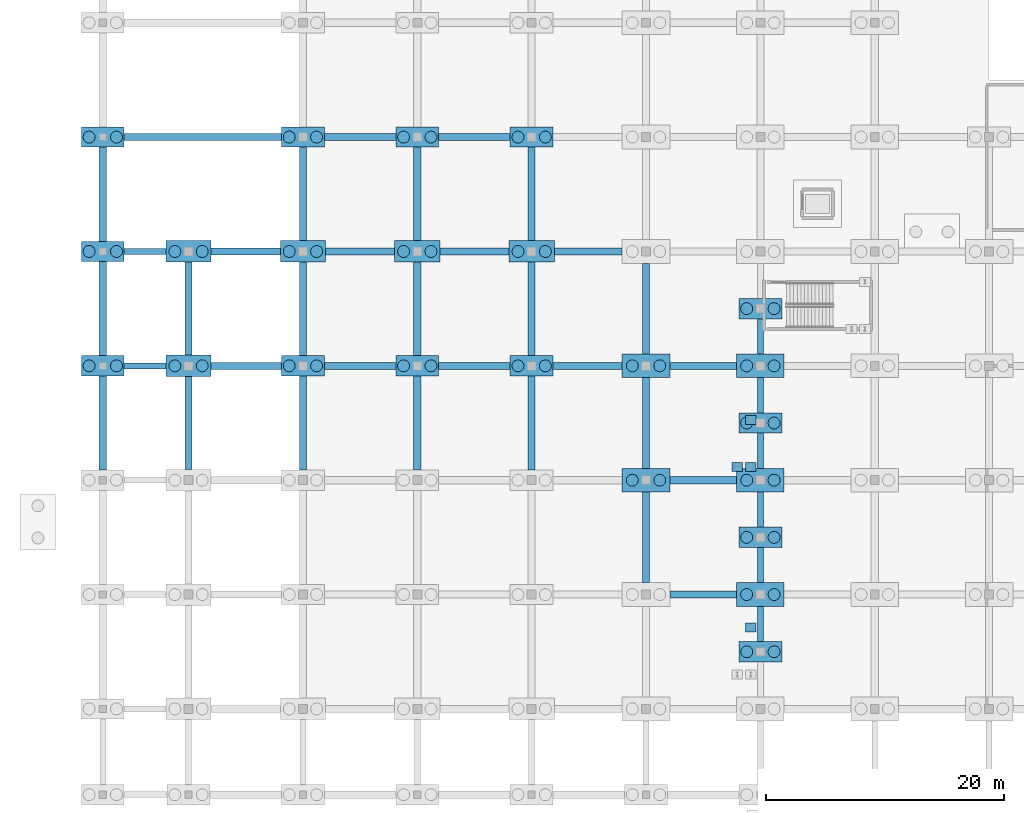
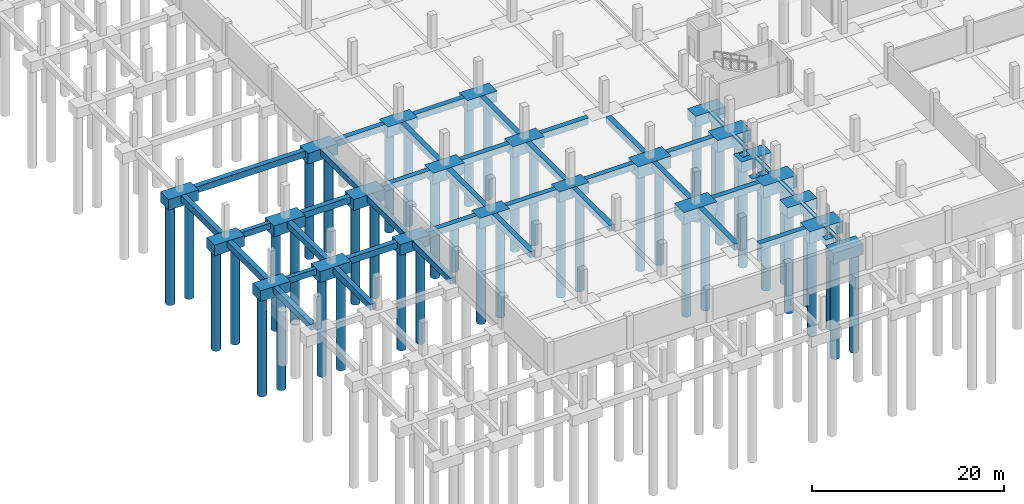
# One storey, part 2 of 54: 66 footings, 46 piles.
"""IFC4 building model written with IfcOpenShell, lengths in metres."""

from ifc_helpers import new_model, si_unit, direction, frame, origin, origin_2d, place, context, subcontext, project, spatial, rectangle, circle, extrude, material, material_profile, profile_set, type_object, element, save


model = new_model("IFC4")

# Units and contexts
model_context = context("Model", 3, precision=1e-05, world=origin(), true_north=direction((0.0, 1.0)))
body_context = subcontext(model_context, "Body", "Model", "MODEL_VIEW")
ifc_project = project(units=[si_unit("LENGTHUNIT", "METRE"), si_unit("AREAUNIT", "SQUARE_METRE"), si_unit("VOLUMEUNIT", "CUBIC_METRE"), si_unit("PLANEANGLEUNIT", "RADIAN"), si_unit("MASSUNIT", "GRAM", prefix="KILO")], contexts=[model_context])

# Site, building, storey
site_placement = place(None, origin())
site = spatial("IfcSite", under=ifc_project, at=site_placement, CompositionType="ELEMENT")
building_placement = place(site_placement, origin())
building = spatial("IfcBuilding", under=site, at=building_placement, Name="Zevrakil Square Congress Hotel", CompositionType="ELEMENT")
storey_placement = place(building_placement, frame((0.0, 0.0, -8.39990234375)))
storey = spatial("IfcBuildingStorey", under=building, at=storey_placement, Name="B2", CompositionType="ELEMENT", Elevation=-8.39990234375)

# Footings
ifc_material_1 = material(Name="Concrete C35/45", Category="concrete")
footing_type_1 = type_object("IfcFootingType", Name="FTG-PC2-360", PredefinedType="PILE_CAP", material=ifc_material_1)
for number, where, z_axis, x_axis, name in (
    (1, (0.0, 36.0, -1.35009765625), (0.0, 0.0, 1.0), (1.0, 0.0, 0.0), "Pile cap PC2-005"),
    (2, (0.0, 45.60009765625, -1.35009765625), (0.0, 0.0, 1.0), (1.0, 0.0, 0.0), "Pile cap PC2-006"),
    (3, (0.0, 55.199951171875, -1.35009765625), (0.0, 0.0, 1.0), (1.0, 0.0, 0.0), "Pile cap PC2-007"),
    (4, (16.800048828125, 36.0, -1.35009765625), (0.0, 0.0, 1.0), (1.0, 0.0, 0.0), "Pile cap PC2-032"),
    (5, (16.800048828125, 55.199951171875, -1.35009765625), (0.0, 0.0, 1.0), (1.0, 0.0, 0.0), "Pile cap PC2-034"),
    (6, (26.39990234375, 36.0, -1.35009765625), (0.0, 0.0, 1.0), (1.0, 0.0, 0.0), "Pile cap PC2-046"),
    (7, (26.39990234375, 55.199951171875, -1.35009765625), (0.0, 0.0, 1.0), (1.0, 0.0, 0.0), "Pile cap PC2-048"),
    (8, (36.0, 36.0, -1.35009765625), (0.0, 0.0, 1.0), (1.0, 0.0, 0.0), "Pile cap PC2-060"),
    (9, (36.0, 55.199951171875, -1.35009765625), (0.0, 0.0, 1.0), (1.0, 0.0, 0.0), "Pile cap PC2-062"),
    (10, (55.199951171875, 12.0, -1.35009765625), (0.0, 0.0, 1.0), (1.0, 0.0, 0.0), "Pile cap PC2-N055-012"),
    (11, (55.199951171875, 21.60009765625, -1.35009765625), (0.0, 0.0, 1.0), (1.0, 0.0, 0.0), "Pile cap PC2-N055-021"),
    (12, (55.199951171875, 31.199951171875, -1.35009765625), (0.0, 0.0, 1.0), (1.0, 0.0, 0.0), "Pile cap PC2-N055-031"),
    (13, (55.199951171875, 40.800048828125, -1.35009765625), (0.0, 0.0, 1.0), (1.0, 0.0, 0.0), "Pile cap PC2-N055-040"),
):
    element("IfcFooting", number, at=place(storey_placement, frame(where, z_axis=z_axis, x_axis=x_axis)), inside=storey, type_object=footing_type_1, Name=name, PredefinedType="PILE_CAP", context=body_context, shape_type="SweptSolid", body=[
        extrude(rectangle(XDim=3.60009765625, YDim=1.699951171875, at=origin_2d()), origin(), (0.0, 0.0, 1.0), 1.35009765625),
    ])
ifc_material_2 = material(Name="Concrete C35/45", Category="concrete")
footing_type_2 = type_object("IfcFootingType", Name="FTG-PC2-380", PredefinedType="PILE_CAP", material=ifc_material_2)
for number, where, z_axis, x_axis, name in (
    (14, (7.199951171875, 36.0, -1.400146484375), (0.0, 0.0, 1.0), (1.0, 0.0, 0.0), "Pile cap PC2-018"),
    (15, (7.199951171875, 45.60009765625, -1.400146484375), (0.0, 0.0, 1.0), (1.0, 0.0, 0.0), "Pile cap PC2-019"),
    (16, (16.800048828125, 45.60009765625, -1.400146484375), (0.0, 0.0, 1.0), (1.0, 0.0, 0.0), "Pile cap PC2-033"),
    (17, (26.39990234375, 45.60009765625, -1.400146484375), (0.0, 0.0, 1.0), (1.0, 0.0, 0.0), "Pile cap PC2-047"),
    (18, (36.0, 45.60009765625, -1.400146484375), (0.0, 0.0, 1.0), (1.0, 0.0, 0.0), "Pile cap PC2-061"),
):
    element("IfcFooting", number, at=place(storey_placement, frame(where, z_axis=z_axis, x_axis=x_axis)), inside=storey, type_object=footing_type_2, Name=name, PredefinedType="PILE_CAP", context=body_context, shape_type="SweptSolid", body=[
        extrude(rectangle(XDim=3.800048828125, YDim=1.800048828125, at=origin_2d()), origin(), (0.0, 0.0, 1.0), 1.39990234375),
    ])
ifc_material_3 = material(Name="Concrete C35/45", Category="concrete")
footing_type_3 = type_object("IfcFootingType", Name="FTG-PC2-400", PredefinedType="PILE_CAP", material=ifc_material_3)
for number, where, z_axis, x_axis, name in (
    (19, (45.60009765625, 26.39990234375, -1.5), (0.0, 0.0, 1.0), (1.0, 0.0, 0.0), "Pile cap PC2-073"),
    (20, (45.60009765625, 36.0, -1.5), (0.0, 0.0, 1.0), (1.0, 0.0, 0.0), "Pile cap PC2-074"),
    (21, (55.199951171875, 16.800048828125, -1.5), (0.0, 0.0, 1.0), (1.0, 0.0, 0.0), "Pile cap PC2-086"),
    (22, (55.199951171875, 26.39990234375, -1.5), (0.0, 0.0, 1.0), (1.0, 0.0, 0.0), "Pile cap PC2-087"),
    (23, (55.199951171875, 36.0, -1.5), (0.0, 0.0, 1.0), (1.0, 0.0, 0.0), "Pile cap PC2-088"),
):
    element("IfcFooting", number, at=place(storey_placement, frame(where, z_axis=z_axis, x_axis=x_axis)), inside=storey, type_object=footing_type_3, Name=name, PredefinedType="PILE_CAP", context=body_context, shape_type="SweptSolid", body=[
        extrude(rectangle(XDim=4.0, YDim=2.0, at=origin_2d()), origin(), (0.0, 0.0, 1.0), 1.5),
    ])
ifc_material_4 = material(Name="Concrete C35/45", Category="concrete")
ifc_material_profile_1 = material_profile(ifc_material_4, rectangle(XDim=0.75, YDim=0.75, at=origin_2d()), Name="RC 750x750")
ifc_profile_set_1 = profile_set([ifc_material_profile_1], Name="Concrete C35/45")
footing_type_4 = type_object("IfcFootingType", Name="FTG-STRIP-750", PredefinedType="STRIP_FOOTING", material=ifc_profile_set_1)
footing_1_placement = place(storey_placement, frame((53.929931640625, 14.050048828125, -0.375), z_axis=(1.0, 0.0, 0.0), x_axis=(0.0, 1.0, 0.0)))
element("IfcFooting", 24, at=footing_1_placement, inside=storey, type_object=footing_type_4, Name="B2 stair post footing ST12-3", PredefinedType="STRIP_FOOTING", context=body_context, shape_type="SweptSolid", body=[
    extrude(rectangle(XDim=0.75, YDim=0.75, at=origin_2d()), origin(), (0.0, 0.0, 1.0), 0.900146484375),
])
footing_2_placement = place(storey_placement, frame((52.800048828125, 27.5, -0.375), z_axis=(1.0, 0.0, 0.0), x_axis=(0.0, 1.0, 0.0)))
element("IfcFooting", 25, at=footing_2_placement, inside=storey, type_object=footing_type_4, Name="B2 stair post footing ST13-1", PredefinedType="STRIP_FOOTING", context=body_context, shape_type="SweptSolid", body=[
    extrude(rectangle(XDim=0.75, YDim=0.75, at=origin_2d()), origin(), (0.0, 0.0, 1.0), 0.89990234375),
])
for number, where, z_axis, x_axis, name in (
    (26, (53.929931640625, 27.5, -0.375), (1.0, 0.0, 0.0), (0.0, 1.0, 0.0), "B2 stair post footing ST13-2"),
    (27, (53.929931640625, 31.449951171875, -0.375), (1.0, 0.0, 0.0), (0.0, 1.0, 0.0), "B2 stair post footing ST13-3"),
):
    element("IfcFooting", number, at=place(storey_placement, frame(where, z_axis=z_axis, x_axis=x_axis)), inside=storey, type_object=footing_type_4, Name=name, PredefinedType="STRIP_FOOTING", context=body_context, shape_type="SweptSolid", body=[
        extrude(rectangle(XDim=0.75, YDim=0.75, at=origin_2d()), origin(), (0.0, 0.0, 1.0), 0.900146484375),
    ])
ifc_material_5 = material(Name="Concrete C35/45", Category="concrete")
ifc_material_profile_2 = material_profile(ifc_material_5, rectangle(XDim=0.5, YDim=0.75, at=origin_2d()), Name="RC 500x750")
ifc_profile_set_2 = profile_set([ifc_material_profile_2], Name="Concrete C35/45")
footing_type_5 = type_object("IfcFootingType", Name="FTG-TIE-500x750", PredefinedType="FOOTING_BEAM", material=ifc_profile_set_2)
for number, where, z_axis, x_axis, name in (
    (28, (1.800048828125, 36.0, -0.375), (1.0, 0.0, 0.0), (0.0, 1.0, 0.0), "Ground tie beam GB-071"),
    (29, (1.800048828125, 45.60009765625, -0.375), (1.0, 0.0, 0.0), (0.0, 1.0, 0.0), "Ground tie beam GB-088"),
):
    element("IfcFooting", number, at=place(storey_placement, frame(where, z_axis=z_axis, x_axis=x_axis)), inside=storey, type_object=footing_type_5, Name=name, PredefinedType="FOOTING_BEAM", context=body_context, shape_type="SweptSolid", body=[
        extrude(rectangle(XDim=0.5, YDim=0.75, at=origin_2d()), origin(), (0.0, 0.0, 1.0), 3.5),
    ])
for number, where, z_axis, x_axis, name in (
    (30, (55.199951171875, 12.85009765625, -0.375), (0.0, 1.0, 0.0), (-1.0, 0.0, 0.0), "Ground tie beam GB-290"),
    (31, (55.199951171875, 17.800048828125, -0.375), (0.0, 1.0, 0.0), (-1.0, 0.0, 0.0), "Ground tie beam GB-291"),
    (32, (55.199951171875, 22.449951171875, -0.375), (0.0, 1.0, 0.0), (-1.0, 0.0, 0.0), "Ground tie beam GB-292"),
):
    element("IfcFooting", number, at=place(storey_placement, frame(where, z_axis=z_axis, x_axis=x_axis)), inside=storey, type_object=footing_type_5, Name=name, PredefinedType="FOOTING_BEAM", context=body_context, shape_type="SweptSolid", body=[
        extrude(rectangle(XDim=0.5, YDim=0.75, at=origin_2d()), origin(), (0.0, 0.0, 1.0), 2.949951171875),
    ])
footing_3_placement = place(storey_placement, frame((55.199951171875, 27.39990234375, -0.375), z_axis=(0.0, 1.0, 0.0), x_axis=(-1.0, 0.0, 0.0)))
element("IfcFooting", 33, at=footing_3_placement, inside=storey, type_object=footing_type_5, Name="Ground tie beam GB-293", PredefinedType="FOOTING_BEAM", context=body_context, shape_type="SweptSolid", body=[
    extrude(rectangle(XDim=0.5, YDim=0.75, at=origin_2d()), origin(), (0.0, 0.0, 1.0), 2.9501953125),
])
for number, where, z_axis, x_axis, name in (
    (34, (55.199951171875, 32.050048828125, -0.375), (0.0, 1.0, 0.0), (-1.0, 0.0, 0.0), "Ground tie beam GB-294"),
    (35, (55.199951171875, 37.0, -0.375), (0.0, 1.0, 0.0), (-1.0, 0.0, 0.0), "Ground tie beam GB-295"),
):
    element("IfcFooting", number, at=place(storey_placement, frame(where, z_axis=z_axis, x_axis=x_axis)), inside=storey, type_object=footing_type_5, Name=name, PredefinedType="FOOTING_BEAM", context=body_context, shape_type="SweptSolid", body=[
        extrude(rectangle(XDim=0.5, YDim=0.75, at=origin_2d()), origin(), (0.0, 0.0, 1.0), 2.949951171875),
    ])
ifc_material_6 = material(Name="Concrete C35/45", Category="concrete")
ifc_material_profile_3 = material_profile(ifc_material_6, rectangle(XDim=0.60009765625, YDim=0.800048828125, at=origin_2d()), Name="RC 600x800")
ifc_profile_set_3 = profile_set([ifc_material_profile_3], Name="Concrete C35/45")
footing_type_6 = type_object("IfcFootingType", Name="FTG-TIE-600x800", PredefinedType="FOOTING_BEAM", material=ifc_profile_set_3)
for number, where, z_axis, x_axis, name in (
    (36, (47.60009765625, 16.800048828125, -0.400146484375), (1.0, 0.0, 0.0), (0.0, 1.0, 0.0), "Ground tie beam GB-041"),
    (37, (47.60009765625, 26.39990234375, -0.400146484375), (1.0, 0.0, 0.0), (0.0, 1.0, 0.0), "Ground tie beam GB-059"),
):
    element("IfcFooting", number, at=place(storey_placement, frame(where, z_axis=z_axis, x_axis=x_axis)), inside=storey, type_object=footing_type_6, Name=name, PredefinedType="FOOTING_BEAM", context=body_context, shape_type="SweptSolid", body=[
        extrude(rectangle(XDim=0.60009765625, YDim=0.800048828125, at=origin_2d()), origin(), (0.0, 0.0, 1.0), 5.599853515625),
    ])
footing_4_placement = place(storey_placement, frame((9.10009765625, 36.0, -0.400146484375), z_axis=(1.0, 0.0, 0.0), x_axis=(0.0, 1.0, 0.0)))
element("IfcFooting", 38, at=footing_4_placement, inside=storey, type_object=footing_type_6, Name="Ground tie beam GB-072", PredefinedType="FOOTING_BEAM", context=body_context, shape_type="SweptSolid", body=[
    extrude(rectangle(XDim=0.60009765625, YDim=0.800048828125, at=origin_2d()), origin(), (0.0, 0.0, 1.0), 5.89990234375),
])
for number, where, z_axis, x_axis, name in (
    (39, (18.60009765625, 36.0, -0.400146484375), (1.0, 0.0, 0.0), (0.0, 1.0, 0.0), "Ground tie beam GB-073"),
    (40, (28.199951171875, 36.0, -0.400146484375), (1.0, 0.0, 0.0), (0.0, 1.0, 0.0), "Ground tie beam GB-074"),
):
    element("IfcFooting", number, at=place(storey_placement, frame(where, z_axis=z_axis, x_axis=x_axis)), inside=storey, type_object=footing_type_6, Name=name, PredefinedType="FOOTING_BEAM", context=body_context, shape_type="SweptSolid", body=[
        extrude(rectangle(XDim=0.60009765625, YDim=0.800048828125, at=origin_2d()), origin(), (0.0, 0.0, 1.0), 6.0),
    ])
footing_5_placement = place(storey_placement, frame((37.800048828125, 36.0, -0.400146484375), z_axis=(1.0, 0.0, 0.0), x_axis=(0.0, 1.0, 0.0)))
element("IfcFooting", 41, at=footing_5_placement, inside=storey, type_object=footing_type_6, Name="Ground tie beam GB-075", PredefinedType="FOOTING_BEAM", context=body_context, shape_type="SweptSolid", body=[
    extrude(rectangle(XDim=0.60009765625, YDim=0.800048828125, at=origin_2d()), origin(), (0.0, 0.0, 1.0), 5.800048828125),
])
footing_6_placement = place(storey_placement, frame((47.60009765625, 36.0, -0.400146484375), z_axis=(1.0, 0.0, 0.0), x_axis=(0.0, 1.0, 0.0)))
element("IfcFooting", 42, at=footing_6_placement, inside=storey, type_object=footing_type_6, Name="Ground tie beam GB-076", PredefinedType="FOOTING_BEAM", context=body_context, shape_type="SweptSolid", body=[
    extrude(rectangle(XDim=0.60009765625, YDim=0.800048828125, at=origin_2d()), origin(), (0.0, 0.0, 1.0), 5.599853515625),
])
footing_7_placement = place(storey_placement, frame((9.10009765625, 45.60009765625, -0.400146484375), z_axis=(1.0, 0.0, 0.0), x_axis=(0.0, 1.0, 0.0)))
element("IfcFooting", 43, at=footing_7_placement, inside=storey, type_object=footing_type_6, Name="Ground tie beam GB-089", PredefinedType="FOOTING_BEAM", context=body_context, shape_type="SweptSolid", body=[
    extrude(rectangle(XDim=0.60009765625, YDim=0.800048828125, at=origin_2d()), origin(), (0.0, 0.0, 1.0), 5.7998046875),
])
for number, where, z_axis, x_axis, name in (
    (44, (18.699951171875, 45.60009765625, -0.400146484375), (1.0, 0.0, 0.0), (0.0, 1.0, 0.0), "Ground tie beam GB-090"),
    (45, (28.300048828125, 45.60009765625, -0.400146484375), (1.0, 0.0, 0.0), (0.0, 1.0, 0.0), "Ground tie beam GB-091"),
):
    element("IfcFooting", number, at=place(storey_placement, frame(where, z_axis=z_axis, x_axis=x_axis)), inside=storey, type_object=footing_type_6, Name=name, PredefinedType="FOOTING_BEAM", context=body_context, shape_type="SweptSolid", body=[
        extrude(rectangle(XDim=0.60009765625, YDim=0.800048828125, at=origin_2d()), origin(), (0.0, 0.0, 1.0), 5.800048828125),
    ])
footing_8_placement = place(storey_placement, frame((37.89990234375, 45.60009765625, -0.400146484375), z_axis=(1.0, 0.0, 0.0), x_axis=(0.0, 1.0, 0.0)))
element("IfcFooting", 46, at=footing_8_placement, inside=storey, type_object=footing_type_6, Name="Ground tie beam GB-092", PredefinedType="FOOTING_BEAM", context=body_context, shape_type="SweptSolid", body=[
    extrude(rectangle(XDim=0.60009765625, YDim=0.800048828125, at=origin_2d()), origin(), (0.0, 0.0, 1.0), 5.7001953125),
])
footing_9_placement = place(storey_placement, frame((1.800048828125, 55.199951171875, -0.400146484375), z_axis=(1.0, 0.0, 0.0), x_axis=(0.0, 1.0, 0.0)))
element("IfcFooting", 47, at=footing_9_placement, inside=storey, type_object=footing_type_6, Name="Ground tie beam GB-106", PredefinedType="FOOTING_BEAM", context=body_context, shape_type="SweptSolid", body=[
    extrude(rectangle(XDim=0.60009765625, YDim=0.800048828125, at=origin_2d()), origin(), (0.0, 0.0, 1.0), 13.199951171875),
])
for number, where, z_axis, x_axis, name in (
    (48, (18.60009765625, 55.199951171875, -0.400146484375), (1.0, 0.0, 0.0), (0.0, 1.0, 0.0), "Ground tie beam GB-107"),
    (49, (28.199951171875, 55.199951171875, -0.400146484375), (1.0, 0.0, 0.0), (0.0, 1.0, 0.0), "Ground tie beam GB-108"),
):
    element("IfcFooting", number, at=place(storey_placement, frame(where, z_axis=z_axis, x_axis=x_axis)), inside=storey, type_object=footing_type_6, Name=name, PredefinedType="FOOTING_BEAM", context=body_context, shape_type="SweptSolid", body=[
        extrude(rectangle(XDim=0.60009765625, YDim=0.800048828125, at=origin_2d()), origin(), (0.0, 0.0, 1.0), 6.0),
    ])
for number, where, z_axis, x_axis, name in (
    (50, (0.0, 27.25, -0.400146484375), (0.0, 1.0, 0.0), (-1.0, 0.0, 0.0), "Ground tie beam GB-218"),
    (51, (0.0, 36.85009765625, -0.400146484375), (0.0, 1.0, 0.0), (-1.0, 0.0, 0.0), "Ground tie beam GB-219"),
):
    element("IfcFooting", number, at=place(storey_placement, frame(where, z_axis=z_axis, x_axis=x_axis)), inside=storey, type_object=footing_type_6, Name=name, PredefinedType="FOOTING_BEAM", context=body_context, shape_type="SweptSolid", body=[
        extrude(rectangle(XDim=0.60009765625, YDim=0.800048828125, at=origin_2d()), origin(), (0.0, 0.0, 1.0), 7.89990234375),
    ])
footing_10_placement = place(storey_placement, frame((0.0, 46.449951171875, -0.400146484375), z_axis=(0.0, 1.0, 0.0), x_axis=(-1.0, 0.0, 0.0)))
element("IfcFooting", 52, at=footing_10_placement, inside=storey, type_object=footing_type_6, Name="Ground tie beam GB-220", PredefinedType="FOOTING_BEAM", context=body_context, shape_type="SweptSolid", body=[
    extrude(rectangle(XDim=0.60009765625, YDim=0.800048828125, at=origin_2d()), origin(), (0.0, 0.0, 1.0), 7.900146484375),
])
for number, where, z_axis, x_axis, name in (
    (53, (7.199951171875, 27.300048828125, -0.400146484375), (0.0, 1.0, 0.0), (-1.0, 0.0, 0.0), "Ground tie beam GB-230"),
    (54, (7.199951171875, 36.89990234375, -0.400146484375), (0.0, 1.0, 0.0), (-1.0, 0.0, 0.0), "Ground tie beam GB-231"),
):
    element("IfcFooting", number, at=place(storey_placement, frame(where, z_axis=z_axis, x_axis=x_axis)), inside=storey, type_object=footing_type_6, Name=name, PredefinedType="FOOTING_BEAM", context=body_context, shape_type="SweptSolid", body=[
        extrude(rectangle(XDim=0.60009765625, YDim=0.800048828125, at=origin_2d()), origin(), (0.0, 0.0, 1.0), 7.800048828125),
    ])
footing_11_placement = place(storey_placement, frame((16.800048828125, 27.25, -0.400146484375), z_axis=(0.0, 1.0, 0.0), x_axis=(-1.0, 0.0, 0.0)))
element("IfcFooting", 55, at=footing_11_placement, inside=storey, type_object=footing_type_6, Name="Ground tie beam GB-240", PredefinedType="FOOTING_BEAM", context=body_context, shape_type="SweptSolid", body=[
    extrude(rectangle(XDim=0.60009765625, YDim=0.800048828125, at=origin_2d()), origin(), (0.0, 0.0, 1.0), 7.89990234375),
])
footing_12_placement = place(storey_placement, frame((16.800048828125, 36.85009765625, -0.400146484375), z_axis=(0.0, 1.0, 0.0), x_axis=(-1.0, 0.0, 0.0)))
element("IfcFooting", 56, at=footing_12_placement, inside=storey, type_object=footing_type_6, Name="Ground tie beam GB-241", PredefinedType="FOOTING_BEAM", context=body_context, shape_type="SweptSolid", body=[
    extrude(rectangle(XDim=0.60009765625, YDim=0.800048828125, at=origin_2d()), origin(), (0.0, 0.0, 1.0), 7.849853515625),
])
footing_13_placement = place(storey_placement, frame((16.800048828125, 46.5, -0.400146484375), z_axis=(0.0, 1.0, 0.0), x_axis=(-1.0, 0.0, 0.0)))
element("IfcFooting", 57, at=footing_13_placement, inside=storey, type_object=footing_type_6, Name="Ground tie beam GB-242", PredefinedType="FOOTING_BEAM", context=body_context, shape_type="SweptSolid", body=[
    extrude(rectangle(XDim=0.60009765625, YDim=0.800048828125, at=origin_2d()), origin(), (0.0, 0.0, 1.0), 7.85009765625),
])
footing_14_placement = place(storey_placement, frame((26.39990234375, 27.25, -0.400146484375), z_axis=(0.0, 1.0, 0.0), x_axis=(-1.0, 0.0, 0.0)))
element("IfcFooting", 58, at=footing_14_placement, inside=storey, type_object=footing_type_6, Name="Ground tie beam GB-253", PredefinedType="FOOTING_BEAM", context=body_context, shape_type="SweptSolid", body=[
    extrude(rectangle(XDim=0.60009765625, YDim=0.800048828125, at=origin_2d()), origin(), (0.0, 0.0, 1.0), 7.89990234375),
])
footing_15_placement = place(storey_placement, frame((26.39990234375, 36.85009765625, -0.400146484375), z_axis=(0.0, 1.0, 0.0), x_axis=(-1.0, 0.0, 0.0)))
element("IfcFooting", 59, at=footing_15_placement, inside=storey, type_object=footing_type_6, Name="Ground tie beam GB-254", PredefinedType="FOOTING_BEAM", context=body_context, shape_type="SweptSolid", body=[
    extrude(rectangle(XDim=0.60009765625, YDim=0.800048828125, at=origin_2d()), origin(), (0.0, 0.0, 1.0), 7.849853515625),
])
footing_16_placement = place(storey_placement, frame((26.39990234375, 46.5, -0.400146484375), z_axis=(0.0, 1.0, 0.0), x_axis=(-1.0, 0.0, 0.0)))
element("IfcFooting", 60, at=footing_16_placement, inside=storey, type_object=footing_type_6, Name="Ground tie beam GB-255", PredefinedType="FOOTING_BEAM", context=body_context, shape_type="SweptSolid", body=[
    extrude(rectangle(XDim=0.60009765625, YDim=0.800048828125, at=origin_2d()), origin(), (0.0, 0.0, 1.0), 7.85009765625),
])
footing_17_placement = place(storey_placement, frame((36.0, 27.25, -0.400146484375), z_axis=(0.0, 1.0, 0.0), x_axis=(-1.0, 0.0, 0.0)))
element("IfcFooting", 61, at=footing_17_placement, inside=storey, type_object=footing_type_6, Name="Ground tie beam GB-265", PredefinedType="FOOTING_BEAM", context=body_context, shape_type="SweptSolid", body=[
    extrude(rectangle(XDim=0.60009765625, YDim=0.800048828125, at=origin_2d()), origin(), (0.0, 0.0, 1.0), 7.89990234375),
])
footing_18_placement = place(storey_placement, frame((36.0, 36.85009765625, -0.400146484375), z_axis=(0.0, 1.0, 0.0), x_axis=(-1.0, 0.0, 0.0)))
element("IfcFooting", 62, at=footing_18_placement, inside=storey, type_object=footing_type_6, Name="Ground tie beam GB-266", PredefinedType="FOOTING_BEAM", context=body_context, shape_type="SweptSolid", body=[
    extrude(rectangle(XDim=0.60009765625, YDim=0.800048828125, at=origin_2d()), origin(), (0.0, 0.0, 1.0), 7.849853515625),
])
footing_19_placement = place(storey_placement, frame((36.0, 46.5, -0.400146484375), z_axis=(0.0, 1.0, 0.0), x_axis=(-1.0, 0.0, 0.0)))
element("IfcFooting", 63, at=footing_19_placement, inside=storey, type_object=footing_type_6, Name="Ground tie beam GB-267", PredefinedType="FOOTING_BEAM", context=body_context, shape_type="SweptSolid", body=[
    extrude(rectangle(XDim=0.60009765625, YDim=0.800048828125, at=origin_2d()), origin(), (0.0, 0.0, 1.0), 7.85009765625),
])
footing_20_placement = place(storey_placement, frame((45.60009765625, 17.800048828125, -0.400146484375), z_axis=(0.0, 1.0, 0.0), x_axis=(-1.0, 0.0, 0.0)))
element("IfcFooting", 64, at=footing_20_placement, inside=storey, type_object=footing_type_6, Name="Ground tie beam GB-277", PredefinedType="FOOTING_BEAM", context=body_context, shape_type="SweptSolid", body=[
    extrude(rectangle(XDim=0.60009765625, YDim=0.800048828125, at=origin_2d()), origin(), (0.0, 0.0, 1.0), 7.599853515625),
])
for number, where, z_axis, x_axis, name in (
    (65, (45.60009765625, 27.39990234375, -0.400146484375), (0.0, 1.0, 0.0), (-1.0, 0.0, 0.0), "Ground tie beam GB-278"),
    (66, (45.60009765625, 37.0, -0.400146484375), (0.0, 1.0, 0.0), (-1.0, 0.0, 0.0), "Ground tie beam GB-279"),
):
    element("IfcFooting", number, at=place(storey_placement, frame(where, z_axis=z_axis, x_axis=x_axis)), inside=storey, type_object=footing_type_6, Name=name, PredefinedType="FOOTING_BEAM", context=body_context, shape_type="SweptSolid", body=[
        extrude(rectangle(XDim=0.60009765625, YDim=0.800048828125, at=origin_2d()), origin(), (0.0, 0.0, 1.0), 7.60009765625),
    ])

# Piles
ifc_material_7 = material(Name="Concrete C35/45", Category="concrete")
ifc_material_profile_4 = material_profile(ifc_material_7, circle(Radius=0.5, at=origin_2d()), Name="PILE D1000")
ifc_profile_set_4 = profile_set([ifc_material_profile_4], Name="Concrete C35/45")
pile_type = type_object("IfcPileType", Name="PILE-BORED-1000", PredefinedType="BORED", material=ifc_profile_set_4)
for number, where, z_axis, x_axis, name in (
    (67, (-1.14990234375, 36.0, -1.25), (0.0, 0.0, -1.0), (1.0, 0.0, 0.0), "Bored pile PC2-005-1"),
    (68, (1.14990234375, 36.0, -1.25), (0.0, 0.0, -1.0), (1.0, 0.0, 0.0), "Bored pile PC2-005-2"),
    (69, (-1.14990234375, 45.60009765625, -1.25), (0.0, 0.0, -1.0), (1.0, 0.0, 0.0), "Bored pile PC2-006-1"),
    (70, (1.14990234375, 45.60009765625, -1.25), (0.0, 0.0, -1.0), (1.0, 0.0, 0.0), "Bored pile PC2-006-2"),
    (71, (-1.14990234375, 55.199951171875, -1.25), (0.0, 0.0, -1.0), (1.0, 0.0, 0.0), "Bored pile PC2-007-1"),
    (72, (1.14990234375, 55.199951171875, -1.25), (0.0, 0.0, -1.0), (1.0, 0.0, 0.0), "Bored pile PC2-007-2"),
):
    element("IfcPile", number, at=place(storey_placement, frame(where, z_axis=z_axis, x_axis=x_axis)), inside=storey, type_object=pile_type, Name=name, PredefinedType="BORED", context=body_context, shape_type="SweptSolid", body=[
        extrude(circle(Radius=0.5, at=origin_2d()), origin(), (0.0, 0.0, 1.0), 12.64990234375),
    ])
for number, where, z_axis, x_axis, name in (
    (73, (6.050048828125, 36.0, -1.300048828125), (0.0, 0.0, -1.0), (1.0, 0.0, 0.0), "Bored pile PC2-018-1"),
    (74, (8.35009765625, 36.0, -1.300048828125), (0.0, 0.0, -1.0), (1.0, 0.0, 0.0), "Bored pile PC2-018-2"),
    (75, (6.050048828125, 45.60009765625, -1.300048828125), (0.0, 0.0, -1.0), (1.0, 0.0, 0.0), "Bored pile PC2-019-1"),
    (76, (8.35009765625, 45.60009765625, -1.300048828125), (0.0, 0.0, -1.0), (1.0, 0.0, 0.0), "Bored pile PC2-019-2"),
):
    element("IfcPile", number, at=place(storey_placement, frame(where, z_axis=z_axis, x_axis=x_axis)), inside=storey, type_object=pile_type, Name=name, PredefinedType="BORED", context=body_context, shape_type="SweptSolid", body=[
        extrude(circle(Radius=0.5, at=origin_2d()), origin(), (0.0, 0.0, 1.0), 12.60009765625),
    ])
for number, where, z_axis, x_axis, name in (
    (77, (15.64990234375, 36.0, -1.25), (0.0, 0.0, -1.0), (1.0, 0.0, 0.0), "Bored pile PC2-032-1"),
    (78, (17.949951171875, 36.0, -1.25), (0.0, 0.0, -1.0), (1.0, 0.0, 0.0), "Bored pile PC2-032-2"),
):
    element("IfcPile", number, at=place(storey_placement, frame(where, z_axis=z_axis, x_axis=x_axis)), inside=storey, type_object=pile_type, Name=name, PredefinedType="BORED", context=body_context, shape_type="SweptSolid", body=[
        extrude(circle(Radius=0.5, at=origin_2d()), origin(), (0.0, 0.0, 1.0), 12.64990234375),
    ])
for number, where, z_axis, x_axis, name in (
    (79, (15.64990234375, 45.60009765625, -1.300048828125), (0.0, 0.0, -1.0), (1.0, 0.0, 0.0), "Bored pile PC2-033-1"),
    (80, (17.949951171875, 45.60009765625, -1.300048828125), (0.0, 0.0, -1.0), (1.0, 0.0, 0.0), "Bored pile PC2-033-2"),
):
    element("IfcPile", number, at=place(storey_placement, frame(where, z_axis=z_axis, x_axis=x_axis)), inside=storey, type_object=pile_type, Name=name, PredefinedType="BORED", context=body_context, shape_type="SweptSolid", body=[
        extrude(circle(Radius=0.5, at=origin_2d()), origin(), (0.0, 0.0, 1.0), 12.60009765625),
    ])
for number, where, z_axis, x_axis, name in (
    (81, (15.64990234375, 55.199951171875, -1.25), (0.0, 0.0, -1.0), (1.0, 0.0, 0.0), "Bored pile PC2-034-1"),
    (82, (17.949951171875, 55.199951171875, -1.25), (0.0, 0.0, -1.0), (1.0, 0.0, 0.0), "Bored pile PC2-034-2"),
    (83, (25.25, 36.0, -1.25), (0.0, 0.0, -1.0), (1.0, 0.0, 0.0), "Bored pile PC2-046-1"),
    (84, (27.550048828125, 36.0, -1.25), (0.0, 0.0, -1.0), (1.0, 0.0, 0.0), "Bored pile PC2-046-2"),
):
    element("IfcPile", number, at=place(storey_placement, frame(where, z_axis=z_axis, x_axis=x_axis)), inside=storey, type_object=pile_type, Name=name, PredefinedType="BORED", context=body_context, shape_type="SweptSolid", body=[
        extrude(circle(Radius=0.5, at=origin_2d()), origin(), (0.0, 0.0, 1.0), 12.64990234375),
    ])
for number, where, z_axis, x_axis, name in (
    (85, (25.25, 45.60009765625, -1.300048828125), (0.0, 0.0, -1.0), (1.0, 0.0, 0.0), "Bored pile PC2-047-1"),
    (86, (27.550048828125, 45.60009765625, -1.300048828125), (0.0, 0.0, -1.0), (1.0, 0.0, 0.0), "Bored pile PC2-047-2"),
):
    element("IfcPile", number, at=place(storey_placement, frame(where, z_axis=z_axis, x_axis=x_axis)), inside=storey, type_object=pile_type, Name=name, PredefinedType="BORED", context=body_context, shape_type="SweptSolid", body=[
        extrude(circle(Radius=0.5, at=origin_2d()), origin(), (0.0, 0.0, 1.0), 12.60009765625),
    ])
for number, where, z_axis, x_axis, name in (
    (87, (25.25, 55.199951171875, -1.25), (0.0, 0.0, -1.0), (1.0, 0.0, 0.0), "Bored pile PC2-048-1"),
    (88, (27.550048828125, 55.199951171875, -1.25), (0.0, 0.0, -1.0), (1.0, 0.0, 0.0), "Bored pile PC2-048-2"),
    (89, (34.85009765625, 36.0, -1.25), (0.0, 0.0, -1.0), (1.0, 0.0, 0.0), "Bored pile PC2-060-1"),
    (90, (37.14990234375, 36.0, -1.25), (0.0, 0.0, -1.0), (1.0, 0.0, 0.0), "Bored pile PC2-060-2"),
):
    element("IfcPile", number, at=place(storey_placement, frame(where, z_axis=z_axis, x_axis=x_axis)), inside=storey, type_object=pile_type, Name=name, PredefinedType="BORED", context=body_context, shape_type="SweptSolid", body=[
        extrude(circle(Radius=0.5, at=origin_2d()), origin(), (0.0, 0.0, 1.0), 12.64990234375),
    ])
for number, where, z_axis, x_axis, name in (
    (91, (34.85009765625, 45.60009765625, -1.300048828125), (0.0, 0.0, -1.0), (1.0, 0.0, 0.0), "Bored pile PC2-061-1"),
    (92, (37.14990234375, 45.60009765625, -1.300048828125), (0.0, 0.0, -1.0), (1.0, 0.0, 0.0), "Bored pile PC2-061-2"),
):
    element("IfcPile", number, at=place(storey_placement, frame(where, z_axis=z_axis, x_axis=x_axis)), inside=storey, type_object=pile_type, Name=name, PredefinedType="BORED", context=body_context, shape_type="SweptSolid", body=[
        extrude(circle(Radius=0.5, at=origin_2d()), origin(), (0.0, 0.0, 1.0), 12.60009765625),
    ])
for number, where, z_axis, x_axis, name in (
    (93, (34.85009765625, 55.199951171875, -1.25), (0.0, 0.0, -1.0), (1.0, 0.0, 0.0), "Bored pile PC2-062-1"),
    (94, (37.14990234375, 55.199951171875, -1.25), (0.0, 0.0, -1.0), (1.0, 0.0, 0.0), "Bored pile PC2-062-2"),
):
    element("IfcPile", number, at=place(storey_placement, frame(where, z_axis=z_axis, x_axis=x_axis)), inside=storey, type_object=pile_type, Name=name, PredefinedType="BORED", context=body_context, shape_type="SweptSolid", body=[
        extrude(circle(Radius=0.5, at=origin_2d()), origin(), (0.0, 0.0, 1.0), 12.64990234375),
    ])
for number, where, z_axis, x_axis, name in (
    (95, (44.449951171875, 26.39990234375, -1.400146484375), (0.0, 0.0, -1.0), (1.0, 0.0, 0.0), "Bored pile PC2-073-1"),
    (96, (46.75, 26.39990234375, -1.400146484375), (0.0, 0.0, -1.0), (1.0, 0.0, 0.0), "Bored pile PC2-073-2"),
    (97, (44.449951171875, 36.0, -1.400146484375), (0.0, 0.0, -1.0), (1.0, 0.0, 0.0), "Bored pile PC2-074-1"),
    (98, (46.75, 36.0, -1.400146484375), (0.0, 0.0, -1.0), (1.0, 0.0, 0.0), "Bored pile PC2-074-2"),
):
    element("IfcPile", number, at=place(storey_placement, frame(where, z_axis=z_axis, x_axis=x_axis)), inside=storey, type_object=pile_type, Name=name, PredefinedType="BORED", context=body_context, shape_type="SweptSolid", body=[
        extrude(circle(Radius=0.5, at=origin_2d()), origin(), (0.0, 0.0, 1.0), 12.5),
    ])
for number, where, z_axis, x_axis, name in (
    (99, (54.050048828125, 12.0, -1.25), (0.0, 0.0, -1.0), (1.0, 0.0, 0.0), "Bored pile PC2-N055-012-1"),
    (100, (56.35009765625, 12.0, -1.25), (0.0, 0.0, -1.0), (1.0, 0.0, 0.0), "Bored pile PC2-N055-012-2"),
):
    element("IfcPile", number, at=place(storey_placement, frame(where, z_axis=z_axis, x_axis=x_axis)), inside=storey, type_object=pile_type, Name=name, PredefinedType="BORED", context=body_context, shape_type="SweptSolid", body=[
        extrude(circle(Radius=0.5, at=origin_2d()), origin(), (0.0, 0.0, 1.0), 12.64990234375),
    ])
for number, where, z_axis, x_axis, name in (
    (101, (54.050048828125, 16.800048828125, -1.400146484375), (0.0, 0.0, -1.0), (1.0, 0.0, 0.0), "Bored pile PC2-086-1"),
    (102, (56.35009765625, 16.800048828125, -1.400146484375), (0.0, 0.0, -1.0), (1.0, 0.0, 0.0), "Bored pile PC2-086-2"),
):
    element("IfcPile", number, at=place(storey_placement, frame(where, z_axis=z_axis, x_axis=x_axis)), inside=storey, type_object=pile_type, Name=name, PredefinedType="BORED", context=body_context, shape_type="SweptSolid", body=[
        extrude(circle(Radius=0.5, at=origin_2d()), origin(), (0.0, 0.0, 1.0), 12.5),
    ])
for number, where, z_axis, x_axis, name in (
    (103, (54.050048828125, 21.60009765625, -1.25), (0.0, 0.0, -1.0), (1.0, 0.0, 0.0), "Bored pile PC2-N055-021-1"),
    (104, (56.35009765625, 21.60009765625, -1.25), (0.0, 0.0, -1.0), (1.0, 0.0, 0.0), "Bored pile PC2-N055-021-2"),
):
    element("IfcPile", number, at=place(storey_placement, frame(where, z_axis=z_axis, x_axis=x_axis)), inside=storey, type_object=pile_type, Name=name, PredefinedType="BORED", context=body_context, shape_type="SweptSolid", body=[
        extrude(circle(Radius=0.5, at=origin_2d()), origin(), (0.0, 0.0, 1.0), 12.64990234375),
    ])
for number, where, z_axis, x_axis, name in (
    (105, (54.050048828125, 26.39990234375, -1.400146484375), (0.0, 0.0, -1.0), (1.0, 0.0, 0.0), "Bored pile PC2-087-1"),
    (106, (56.35009765625, 26.39990234375, -1.400146484375), (0.0, 0.0, -1.0), (1.0, 0.0, 0.0), "Bored pile PC2-087-2"),
):
    element("IfcPile", number, at=place(storey_placement, frame(where, z_axis=z_axis, x_axis=x_axis)), inside=storey, type_object=pile_type, Name=name, PredefinedType="BORED", context=body_context, shape_type="SweptSolid", body=[
        extrude(circle(Radius=0.5, at=origin_2d()), origin(), (0.0, 0.0, 1.0), 12.5),
    ])
for number, where, z_axis, x_axis, name in (
    (107, (54.050048828125, 31.199951171875, -1.25), (0.0, 0.0, -1.0), (1.0, 0.0, 0.0), "Bored pile PC2-N055-031-1"),
    (108, (56.35009765625, 31.199951171875, -1.25), (0.0, 0.0, -1.0), (1.0, 0.0, 0.0), "Bored pile PC2-N055-031-2"),
):
    element("IfcPile", number, at=place(storey_placement, frame(where, z_axis=z_axis, x_axis=x_axis)), inside=storey, type_object=pile_type, Name=name, PredefinedType="BORED", context=body_context, shape_type="SweptSolid", body=[
        extrude(circle(Radius=0.5, at=origin_2d()), origin(), (0.0, 0.0, 1.0), 12.64990234375),
    ])
for number, where, z_axis, x_axis, name in (
    (109, (54.050048828125, 36.0, -1.400146484375), (0.0, 0.0, -1.0), (1.0, 0.0, 0.0), "Bored pile PC2-088-1"),
    (110, (56.35009765625, 36.0, -1.400146484375), (0.0, 0.0, -1.0), (1.0, 0.0, 0.0), "Bored pile PC2-088-2"),
):
    element("IfcPile", number, at=place(storey_placement, frame(where, z_axis=z_axis, x_axis=x_axis)), inside=storey, type_object=pile_type, Name=name, PredefinedType="BORED", context=body_context, shape_type="SweptSolid", body=[
        extrude(circle(Radius=0.5, at=origin_2d()), origin(), (0.0, 0.0, 1.0), 12.5),
    ])
for number, where, z_axis, x_axis, name in (
    (111, (54.050048828125, 40.800048828125, -1.25), (0.0, 0.0, -1.0), (1.0, 0.0, 0.0), "Bored pile PC2-N055-040-1"),
    (112, (56.35009765625, 40.800048828125, -1.25), (0.0, 0.0, -1.0), (1.0, 0.0, 0.0), "Bored pile PC2-N055-040-2"),
):
    element("IfcPile", number, at=place(storey_placement, frame(where, z_axis=z_axis, x_axis=x_axis)), inside=storey, type_object=pile_type, Name=name, PredefinedType="BORED", context=body_context, shape_type="SweptSolid", body=[
        extrude(circle(Radius=0.5, at=origin_2d()), origin(), (0.0, 0.0, 1.0), 12.64990234375),
    ])

save(model, "model.ifc")
